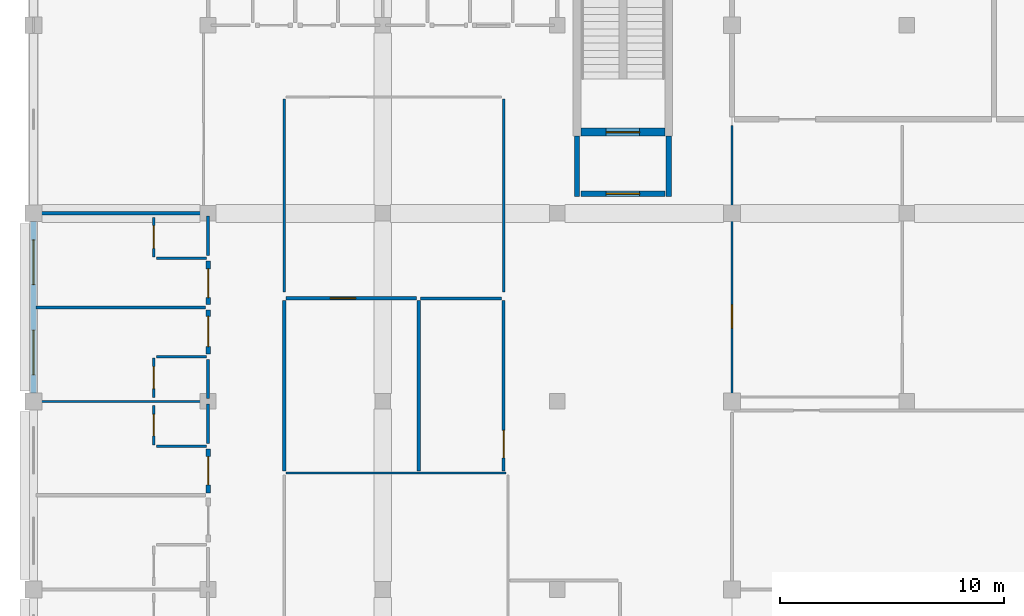
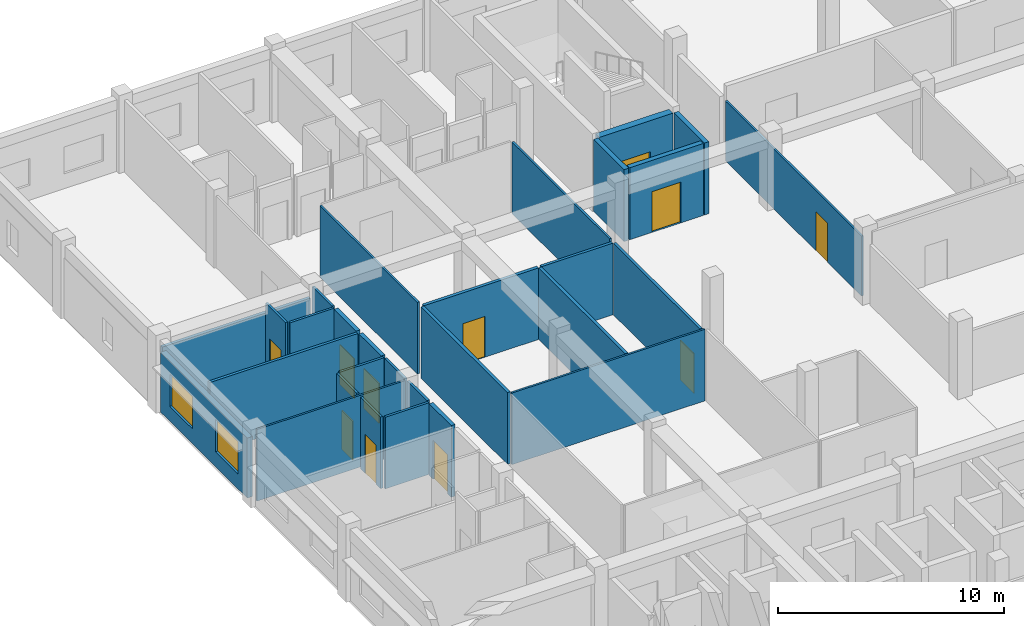
# One storey, part 37 of 53: 29 walls, 11 doors, 2 windows, 13 openings.
"""IFC4 building model written with IfcOpenShell, lengths in metres."""

from ifc_helpers import new_model, si_unit, direction, frame, frame_2d, origin, place, context, subcontext, project, spatial, rectangle, extrude, material, layer, layer_set, type_object, element, fill, save


model = new_model("IFC4")

# Units and contexts
model_context = context("Model", 3, precision=1e-05, world=origin(), true_north=direction((0.0, 1.0)))
body_context = subcontext(model_context, "Body", "Model", "MODEL_VIEW")
ifc_project = project(units=[si_unit("LENGTHUNIT", "METRE"), si_unit("AREAUNIT", "SQUARE_METRE"), si_unit("VOLUMEUNIT", "CUBIC_METRE"), si_unit("PLANEANGLEUNIT", "RADIAN"), si_unit("MASSUNIT", "GRAM", prefix="KILO"), si_unit("THERMODYNAMICTEMPERATUREUNIT", "KELVIN"), si_unit("POWERUNIT", "WATT")], contexts=[model_context])

# Site, building, storey
site_placement = place(None, origin())
site = spatial("IfcSite", under=ifc_project, at=site_placement, CompositionType="ELEMENT")
building_placement = place(site_placement, origin())
building = spatial("IfcBuilding", under=site, at=building_placement, Name="Srebrne Nadtorze General Hospital", CompositionType="ELEMENT")
storey_placement = place(building_placement, frame((0.0, 0.0, 18.0)))
storey = spatial("IfcBuildingStorey", under=building, at=storey_placement, Name="L04", CompositionType="ELEMENT", Elevation=18.0)

# Wall
ifc_material_1 = material(Name="Gypsum Healthcare Partition")
ifc_layer_1 = layer(ifc_material_1, 0.139892578125)
ifc_layer_set_1 = layer_set([ifc_layer_1], Name="Gypsum Healthcare Partition")
wall_type_1 = type_object("IfcWallType", Name="Clinical partition 140", PredefinedType="PARTITIONING", material=ifc_layer_set_1)
wall_1_placement = place(storey_placement, frame((23.52001953125, 71.39990234375, 0.0), z_axis=(0.0, 0.0, 1.0), x_axis=(1.0, 0.0, 0.0)))
element("IfcWall", 1, at=wall_1_placement, inside=storey, type_object=wall_type_1, Name="Ward inter-room partition WL-INT-L04-1715", PredefinedType="PARTITIONING", context=body_context, shape_type="SweptSolid", body=[
    extrude(rectangle(XDim=7.56005859375, YDim=0.139892578125, at=frame_2d((3.780029296875, 0.0))), origin(), (0.0, 0.0, 1.0), 3.864990234375),
])

# Wall, opening, door
wall_2_placement = place(storey_placement, frame((44.39990234375, 64.0849609375, 0.0), z_axis=(0.0, 0.0, 1.0), x_axis=(0.0, 1.0, 0.0)))
wall_2 = element("IfcWall", 2, at=wall_2_placement, inside=storey, type_object=wall_type_1, Name="Dirty Utility wall WL-INT-L04-1824", PredefinedType="PARTITIONING", context=body_context, shape_type="SweptSolid", body=[
    extrude(rectangle(XDim=7.630126953125, YDim=0.139892578125, at=frame_2d((3.81494140625, 0.0))), origin(), (0.0, 0.0, 1.0), 3.864990234375),
])
opening_1_placement = place(wall_2_placement, frame((0.59765625, 0.0, 0.0)))
opening_1 = element("IfcOpeningElement", 3, at=opening_1_placement, cuts=wall_2, Name="Opening D-L04-0344", PredefinedType="OPENING", context=body_context, shape_type="SweptSolid", body=[
    extrude(rectangle(XDim=1.219970703125, YDim=2.14990234375, at=frame_2d((0.60986328125, 1.074951171875))), frame((0.0, 0.08203125, 0.0), z_axis=(0.0, -1.0, 0.0), x_axis=(1.0, 0.0, 0.0)), (0.0, 0.0, 1.0), 0.163818359375),
])
ifc_material_2 = material(Name="Anodised Aluminium", Category="aluminium")
door_type_1 = type_object("IfcDoorType", Name="Single leaf door 1220x2150", OperationType="NOTDEFINED", PredefinedType="DOOR", material=ifc_material_2)
door_1_placement = place(opening_1_placement, origin())
door_1 = element("IfcDoor", 4, at=door_1_placement, inside=storey, type_object=door_type_1, Name="Dirty Utility door D-L04-0344", OperationType="SINGLE_SWING_RIGHT", OverallHeight=2.14990234375, OverallWidth=1.219970703125, PredefinedType="DOOR", context=body_context, shape_type="SweptSolid", body=[
    extrude(rectangle(XDim=1.219970703125, YDim=2.14990234375, at=frame_2d((0.60986328125, 1.074951171875))), frame((0.0, 0.02490234375, 0.0), z_axis=(0.0, -1.0, 0.0), x_axis=(1.0, 0.0, 0.0)), (0.0, 0.0, 1.0), 0.050048828125),
])
fill(opening_1, door_1)

# Walls
wall_3_placement = place(storey_placement, frame((40.68505859375, 71.800048828125, 0.0), z_axis=(0.0, 0.0, 1.0), x_axis=(1.0, 0.0, 0.0)))
element("IfcWall", 5, at=wall_3_placement, inside=storey, type_object=wall_type_1, Name="Dirty Utility wall WL-INT-L04-1825", PredefinedType="PARTITIONING", context=body_context, shape_type="SweptSolid", body=[
    extrude(rectangle(XDim=3.6298828125, YDim=0.139892578125, at=frame_2d((1.81494140625, 0.0))), origin(), (0.0, 0.0, 1.0), 3.864990234375),
])
ifc_material_3 = material(Name="Gypsum Healthcare Partition")
ifc_layer_2 = layer(ifc_material_3, 0.159912109375)
ifc_layer_set_2 = layer_set([ifc_layer_2], Name="Gypsum Healthcare Partition")
wall_type_2 = type_object("IfcWallType", Name="Clinical partition 160", PredefinedType="PARTITIONING", material=ifc_layer_set_2)
wall_4_placement = place(storey_placement, frame((23.52001953125, 75.60009765625, 0.0), z_axis=(0.0, 0.0, 1.0), x_axis=(1.0, 0.0, 0.0)))
element("IfcWall", 6, at=wall_4_placement, inside=storey, type_object=wall_type_2, Name="Ward inter-room partition WL-INT-L04-1720", PredefinedType="PARTITIONING", context=body_context, shape_type="SweptSolid", body=[
    extrude(rectangle(XDim=7.56005859375, YDim=0.159912109375, at=frame_2d((3.780029296875, 0.0))), origin(), (0.0, 0.0, 1.0), 3.235107421875),
])

# Wall, opening, door
wall_5_placement = place(storey_placement, frame((34.68505859375, 71.800048828125, 0.0), z_axis=(0.0, 0.0, 1.0), x_axis=(1.0, 0.0, 0.0)))
wall_5 = element("IfcWall", 7, at=wall_5_placement, inside=storey, type_object=wall_type_2, Name="Clean Medication Preparation Suite wall WL-INT-L04-1821", PredefinedType="PARTITIONING", context=body_context, shape_type="SweptSolid", body=[
    extrude(rectangle(XDim=5.829833984375, YDim=0.159912109375, at=frame_2d((2.9150390625, 0.0))), origin(), (0.0, 0.0, 1.0), 3.864990234375),
])
opening_2_placement = place(wall_5_placement, frame((1.979248046875, 0.0, 0.0)))
opening_2 = element("IfcOpeningElement", 8, at=opening_2_placement, cuts=wall_5, Name="Opening D-L04-0343", PredefinedType="OPENING", context=body_context, shape_type="SweptSolid", body=[
    extrude(rectangle(XDim=1.1201171875, YDim=2.199951171875, at=frame_2d((0.56005859375, 1.10009765625))), frame((0.0, 0.091796875, 0.0), z_axis=(0.0, -1.0, 0.0), x_axis=(1.0, 0.0, 0.0)), (0.0, 0.0, 1.0), 0.183837890625),
])
ifc_material_4 = material(Name="Anodised Aluminium", Category="aluminium")
door_type_2 = type_object("IfcDoorType", Name="Single leaf door 1120x2200", OperationType="NOTDEFINED", PredefinedType="DOOR", material=ifc_material_4)
door_2_placement = place(opening_2_placement, frame((1.1201171875, 0.0, 0.0), z_axis=(0.0, 0.0, 1.0), x_axis=(-1.0, 0.0, 0.0)))
door_2 = element("IfcDoor", 9, at=door_2_placement, inside=storey, type_object=door_type_2, Name="Clean Medication Preparation Suite door D-L04-0343", OperationType="SINGLE_SWING_RIGHT", OverallHeight=2.199951171875, OverallWidth=1.1201171875, PredefinedType="DOOR", context=body_context, shape_type="SweptSolid", body=[
    extrude(rectangle(XDim=1.1201171875, YDim=2.199951171875, at=frame_2d((0.56005859375, 1.10009765625))), frame((0.0, 0.02490234375, 0.0), z_axis=(0.0, -1.0, 0.0), x_axis=(1.0, 0.0, 0.0)), (0.0, 0.0, 1.0), 0.050048828125),
])
fill(opening_2, door_2)

# Walls
for number, where, z_axis, x_axis, name in (
    (10, (34.60009765625, 64.0849609375, 0.0), (0.0, 0.0, 1.0), (0.0, 1.0, 0.0), "Clean Medication Preparation Suite wall WL-INT-L04-1822"),
    (11, (40.60009765625, 64.0849609375, 0.0), (0.0, 0.0, 1.0), (0.0, 1.0, 0.0), "Clean Medication Preparation Suite wall WL-INT-L04-1823"),
):
    element("IfcWall", number, at=place(storey_placement, frame(where, z_axis=z_axis, x_axis=x_axis)), inside=storey, type_object=wall_type_2, Name=name, PredefinedType="PARTITIONING", context=body_context, shape_type="SweptSolid", body=[
        extrude(rectangle(XDim=7.630126953125, YDim=0.159912109375, at=frame_2d((3.81494140625, 0.0))), origin(), (0.0, 0.0, 1.0), 3.864990234375),
    ])

# Wall, opening, door
ifc_material_5 = material(Name="Gypsum Healthcare Partition")
ifc_layer_3 = layer(ifc_material_5, 0.199951171875)
ifc_layer_set_3 = layer_set([ifc_layer_3], Name="Gypsum Healthcare Partition")
wall_type_3 = type_object("IfcWallType", Name="Compartment wall 200", PredefinedType="STANDARD", material=ifc_layer_set_3)
wall_6_placement = place(storey_placement, frame((31.199951171875, 63.1201171875, 0.0), z_axis=(0.0, 0.0, 1.0), x_axis=(0.0, 1.0, 0.0)))
wall_6 = element("IfcWall", 12, at=wall_6_placement, inside=storey, type_object=wall_type_3, Name="Ward corridor wall WL-INT-L04-1711", PredefinedType="STANDARD", context=body_context, shape_type="SweptSolid", body=[
    extrude(rectangle(XDim=1.9599609375, YDim=0.199951171875, at=frame_2d((0.97998046875, 0.0))), origin(), (0.0, 0.0, 1.0), 3.864990234375),
])
opening_3_placement = place(wall_6_placement, frame((0.35009765625, 0.0, 0.0)))
opening_3 = element("IfcOpeningElement", 13, at=opening_3_placement, cuts=wall_6, Name="Opening D-L04-0300", PredefinedType="OPENING", context=body_context, shape_type="SweptSolid", body=[
    extrude(rectangle(XDim=1.260009765625, YDim=2.10009765625, at=frame_2d((0.6298828125, 1.050048828125))), frame((0.0, 0.11181640625, 0.0), z_axis=(0.0, -1.0, 0.0), x_axis=(1.0, 0.0, 0.0)), (0.0, 0.0, 1.0), 0.223876953125),
])
ifc_material_6 = material(Name="Anodised Aluminium", Category="aluminium")
door_type_3 = type_object("IfcDoorType", Name="Single leaf door 1260x2100", OperationType="NOTDEFINED", PredefinedType="DOOR", material=ifc_material_6)
door_3_placement = place(opening_3_placement, origin())
door_3 = element("IfcDoor", 14, at=door_3_placement, inside=storey, type_object=door_type_3, Name="Ward patient room door D-L04-0300", OperationType="SINGLE_SWING_RIGHT", OverallHeight=2.10009765625, OverallWidth=1.260009765625, PredefinedType="DOOR", context=body_context, shape_type="SweptSolid", body=[
    extrude(rectangle(XDim=1.260009765625, YDim=2.10009765625, at=frame_2d((0.6298828125, 1.050048828125))), frame((0.0, 0.02490234375, 0.0), z_axis=(0.0, -1.0, 0.0), x_axis=(1.0, 0.0, 0.0)), (0.0, 0.0, 1.0), 0.050048828125),
])
fill(opening_3, door_3)

wall_7_placement = place(storey_placement, frame((31.199951171875, 69.320068359375, 0.0), z_axis=(0.0, 0.0, 1.0), x_axis=(0.0, 1.0, 0.0)))
wall_7 = element("IfcWall", 15, at=wall_7_placement, inside=storey, type_object=wall_type_3, Name="Ward corridor wall WL-INT-L04-1716", PredefinedType="STANDARD", context=body_context, shape_type="SweptSolid", body=[
    extrude(rectangle(XDim=1.9599609375, YDim=0.199951171875, at=frame_2d((0.97998046875, 0.0))), origin(), (0.0, 0.0, 1.0), 3.864990234375),
])
opening_4_placement = place(wall_7_placement, frame((0.330078125, 0.0, 0.0)))
opening_4 = element("IfcOpeningElement", 16, at=opening_4_placement, cuts=wall_7, Name="Opening D-L04-0302", PredefinedType="OPENING", context=body_context, shape_type="SweptSolid", body=[
    extrude(rectangle(XDim=1.35009765625, YDim=2.14990234375, at=frame_2d((0.675048828125, 1.074951171875))), frame((0.0, 0.11181640625, 0.0), z_axis=(0.0, -1.0, 0.0), x_axis=(1.0, 0.0, 0.0)), (0.0, 0.0, 1.0), 0.223876953125),
])
ifc_material_7 = material(Name="Anodised Aluminium", Category="aluminium")
door_type_4 = type_object("IfcDoorType", Name="Single leaf door 1350x2150", OperationType="NOTDEFINED", PredefinedType="DOOR", material=ifc_material_7)
door_4_placement = place(opening_4_placement, origin())
door_4 = element("IfcDoor", 17, at=door_4_placement, inside=storey, type_object=door_type_4, Name="Ward patient room door D-L04-0302", OperationType="SINGLE_SWING_LEFT", OverallHeight=2.14990234375, OverallWidth=1.35009765625, PredefinedType="DOOR", context=body_context, shape_type="SweptSolid", body=[
    extrude(rectangle(XDim=1.35009765625, YDim=2.14990234375, at=frame_2d((0.675048828125, 1.074951171875))), frame((0.0, 0.02490234375, 0.0), z_axis=(0.0, -1.0, 0.0), x_axis=(1.0, 0.0, 0.0)), (0.0, 0.0, 1.0), 0.050048828125),
])
fill(opening_4, door_4)

wall_8_placement = place(storey_placement, frame((31.199951171875, 71.52001953125, 0.0), z_axis=(0.0, 0.0, 1.0), x_axis=(0.0, 1.0, 0.0)))
wall_8 = element("IfcWall", 18, at=wall_8_placement, inside=storey, type_object=wall_type_3, Name="Ward corridor wall WL-INT-L04-1721", PredefinedType="STANDARD", context=body_context, shape_type="SweptSolid", body=[
    extrude(rectangle(XDim=1.9599609375, YDim=0.199951171875, at=frame_2d((0.97998046875, 0.0))), origin(), (0.0, 0.0, 1.0), 3.864990234375),
])
opening_5_placement = place(wall_8_placement, frame((0.320068359375, 0.0, 0.0)))
opening_5 = element("IfcOpeningElement", 19, at=opening_5_placement, cuts=wall_8, Name="Opening D-L04-0304", PredefinedType="OPENING", context=body_context, shape_type="SweptSolid", body=[
    extrude(rectangle(XDim=1.280029296875, YDim=2.14990234375, at=frame_2d((0.64013671875, 1.074951171875))), frame((0.0, 0.11181640625, 0.0), z_axis=(0.0, -1.0, 0.0), x_axis=(1.0, 0.0, 0.0)), (0.0, 0.0, 1.0), 0.223876953125),
])
ifc_material_8 = material(Name="Anodised Aluminium", Category="aluminium")
door_type_5 = type_object("IfcDoorType", Name="Single leaf door 1280x2150", OperationType="NOTDEFINED", PredefinedType="DOOR", material=ifc_material_8)
door_5_placement = place(opening_5_placement, origin())
door_5 = element("IfcDoor", 20, at=door_5_placement, inside=storey, type_object=door_type_5, Name="Ward patient room door D-L04-0304", OperationType="SINGLE_SWING_LEFT", OverallHeight=2.14990234375, OverallWidth=1.280029296875, PredefinedType="DOOR", context=body_context, shape_type="SweptSolid", body=[
    extrude(rectangle(XDim=1.280029296875, YDim=2.14990234375, at=frame_2d((0.64013671875, 1.074951171875))), frame((0.0, 0.02490234375, 0.0), z_axis=(0.0, -1.0, 0.0), x_axis=(1.0, 0.0, 0.0)), (0.0, 0.0, 1.0), 0.050048828125),
])
fill(opening_5, door_5)

# Walls
ifc_material_9 = material(Name="Gypsum Healthcare Partition")
ifc_layer_4 = layer(ifc_material_9, 0.239990234375)
ifc_layer_set_4 = layer_set([ifc_layer_4], Name="Gypsum Healthcare Partition")
wall_type_4 = type_object("IfcWallType", Name="Corridor fire wall 240", PredefinedType="STANDARD", material=ifc_layer_set_4)
for number, where, z_axis, x_axis, name in (
    (21, (47.675048828125, 76.35498046875, 0.0), (0.0, 0.0, 1.0), (0.0, 1.0, 0.0), "Fire lobby wall ST-02 WL-INT-L04-0301"),
    (22, (51.77490234375, 76.35498046875, 0.0), (0.0, 0.0, 1.0), (0.0, 1.0, 0.0), "Fire lobby wall ST-02 WL-INT-L04-0302"),
):
    element("IfcWall", number, at=place(storey_placement, frame(where, z_axis=z_axis, x_axis=x_axis)), inside=storey, type_object=wall_type_4, Name=name, PredefinedType="STANDARD", context=body_context, shape_type="SweptSolid", body=[
        extrude(rectangle(XDim=2.695068359375, YDim=0.239990234375, at=frame_2d((1.34765625, 0.0))), origin(), (0.0, 0.0, 1.0), 3.885009765625),
    ])

# Wall, opening, door
wall_9_placement = place(storey_placement, frame((47.85009765625, 76.47509765625, 0.0), z_axis=(0.0, 0.0, 1.0), x_axis=(1.0, 0.0, 0.0)))
wall_9 = element("IfcWall", 23, at=wall_9_placement, inside=storey, type_object=wall_type_4, Name="Fire lobby entry wall ST-02 WL-INT-L04-0303", PredefinedType="STANDARD", context=body_context, shape_type="SweptSolid", body=[
    extrude(rectangle(XDim=3.75, YDim=0.239990234375, at=frame_2d((1.875, 0.0))), origin(), (0.0, 0.0, 1.0), 3.885009765625),
])
opening_6_placement = place(wall_9_placement, frame((1.125, 0.0, 0.0)))
opening_6 = element("IfcOpeningElement", 24, at=opening_6_placement, cuts=wall_9, Name="Opening D-L04-0076", PredefinedType="OPENING", context=body_context, shape_type="SweptSolid", body=[
    extrude(rectangle(XDim=1.5, YDim=2.199951171875, at=frame_2d((0.75, 1.10009765625))), frame((0.0, 0.1318359375, 0.0), z_axis=(0.0, -1.0, 0.0), x_axis=(1.0, 0.0, 0.0)), (0.0, 0.0, 1.0), 0.263916015625),
])
ifc_material_10 = material(Name="Anodised Aluminium", Category="aluminium")
door_type_6 = type_object("IfcDoorType", Name="Double leaf door 1500x2200", OperationType="DOUBLE_DOOR_SINGLE_SWING", PredefinedType="DOOR", material=ifc_material_10)
door_6_placement = place(opening_6_placement, origin())
door_6 = element("IfcDoor", 25, at=door_6_placement, inside=storey, type_object=door_type_6, Name="Fire lobby door ST-02 D-L04-0076", OperationType="DOUBLE_DOOR_SINGLE_SWING", OverallHeight=2.199951171875, OverallWidth=1.5, PredefinedType="DOOR", context=body_context, shape_type="SweptSolid", body=[
    extrude(rectangle(XDim=1.5, YDim=2.199951171875, at=frame_2d((0.75, 1.10009765625))), frame((0.0, 0.02490234375, 0.0), z_axis=(0.0, -1.0, 0.0), x_axis=(1.0, 0.0, 0.0)), (0.0, 0.0, 1.0), 0.050048828125),
])
fill(opening_6, door_6)

# Walls
ifc_material_11 = material(Name="Gypsum Healthcare Partition")
ifc_layer_5 = layer(ifc_material_11, 0.1201171875)
ifc_layer_set_5 = layer_set([ifc_layer_5], Name="Gypsum Healthcare Partition")
wall_type_5 = type_object("IfcWallType", Name="En-suite partition 120", PredefinedType="PARTITIONING", material=ifc_layer_set_5)
wall_10_placement = place(storey_placement, frame((31.199951171875, 65.320068359375, 0.0), z_axis=(0.0, 0.0, 1.0), x_axis=(0.0, 1.0, 0.0)))
element("IfcWall", 26, at=wall_10_placement, inside=storey, type_object=wall_type_5, Name="En-suite corridor wall WL-INT-L04-1712", PredefinedType="PARTITIONING", context=body_context, shape_type="SweptSolid", body=[
    extrude(rectangle(XDim=1.760009765625, YDim=0.1201171875, at=frame_2d((0.8798828125, 0.0))), origin(), (0.0, 0.0, 1.0), 3.864990234375),
])
wall_11_placement = place(storey_placement, frame((28.89990234375, 65.199951171875, 0.0), z_axis=(0.0, 0.0, 1.0), x_axis=(1.0, 0.0, 0.0)))
element("IfcWall", 27, at=wall_11_placement, inside=storey, type_object=wall_type_5, Name="En-suite wet wall WL-INT-L04-1713", PredefinedType="PARTITIONING", context=body_context, shape_type="SweptSolid", body=[
    extrude(rectangle(XDim=2.239990234375, YDim=0.1201171875, at=frame_2d((1.1201171875, 0.0))), origin(), (0.0, 0.0, 1.0), 3.864990234375),
])

# Wall, opening, door
wall_12_placement = place(storey_placement, frame((28.780029296875, 65.260009765625, 0.0), z_axis=(0.0, 0.0, 1.0), x_axis=(0.0, 1.0, 0.0)))
wall_12 = element("IfcWall", 28, at=wall_12_placement, inside=storey, type_object=wall_type_5, Name="En-suite wet wall WL-INT-L04-1714", PredefinedType="PARTITIONING", context=body_context, shape_type="SweptSolid", body=[
    extrude(rectangle(XDim=1.760009765625, YDim=0.1201171875, at=frame_2d((0.8798828125, 0.0))), origin(), (0.0, 0.0, 1.0), 3.864990234375),
])
opening_7_placement = place(wall_12_placement, frame((0.39990234375, 0.0, 0.0)))
opening_7 = element("IfcOpeningElement", 29, at=opening_7_placement, cuts=wall_12, Name="Opening D-L04-0301", PredefinedType="OPENING", context=body_context, shape_type="SweptSolid", body=[
    extrude(rectangle(XDim=0.9599609375, YDim=2.1201171875, at=frame_2d((0.47998046875, 1.06005859375))), frame((0.0, 0.072021484375, 0.0), z_axis=(0.0, -1.0, 0.0), x_axis=(1.0, 0.0, 0.0)), (0.0, 0.0, 1.0), 0.14404296875),
])
ifc_material_12 = material(Name="Anodised Aluminium", Category="aluminium")
door_type_7 = type_object("IfcDoorType", Name="Single leaf door 960x2120", OperationType="NOTDEFINED", PredefinedType="DOOR", material=ifc_material_12)
door_7_placement = place(opening_7_placement, frame((0.9599609375, 0.0, 0.0), z_axis=(0.0, 0.0, 1.0), x_axis=(-1.0, 0.0, 0.0)))
door_7 = element("IfcDoor", 30, at=door_7_placement, inside=storey, type_object=door_type_7, Name="En-suite bathroom door D-L04-0301", OperationType="SINGLE_SWING_RIGHT", OverallHeight=2.1201171875, OverallWidth=0.9599609375, PredefinedType="DOOR", context=body_context, shape_type="SweptSolid", body=[
    extrude(rectangle(XDim=0.9599609375, YDim=2.1201171875, at=frame_2d((0.47998046875, 1.06005859375))), frame((0.0, 0.02490234375, 0.0), z_axis=(0.0, -1.0, 0.0), x_axis=(1.0, 0.0, 0.0)), (0.0, 0.0, 1.0), 0.050048828125),
])
fill(opening_7, door_7)

# Walls
wall_13_placement = place(storey_placement, frame((31.199951171875, 67.320068359375, 0.0), z_axis=(0.0, 0.0, 1.0), x_axis=(0.0, 1.0, 0.0)))
element("IfcWall", 31, at=wall_13_placement, inside=storey, type_object=wall_type_5, Name="En-suite corridor wall WL-INT-L04-1717", PredefinedType="PARTITIONING", context=body_context, shape_type="SweptSolid", body=[
    extrude(rectangle(XDim=1.760009765625, YDim=0.1201171875, at=frame_2d((0.8798828125, 0.0))), origin(), (0.0, 0.0, 1.0), 3.864990234375),
])
wall_14_placement = place(storey_placement, frame((28.89990234375, 69.199951171875, 0.0), z_axis=(0.0, 0.0, 1.0), x_axis=(1.0, 0.0, 0.0)))
element("IfcWall", 32, at=wall_14_placement, inside=storey, type_object=wall_type_5, Name="En-suite wet wall WL-INT-L04-1718", PredefinedType="PARTITIONING", context=body_context, shape_type="SweptSolid", body=[
    extrude(rectangle(XDim=2.239990234375, YDim=0.1201171875, at=frame_2d((1.1201171875, 0.0))), origin(), (0.0, 0.0, 1.0), 3.864990234375),
])

# Wall, opening, door
wall_15_placement = place(storey_placement, frame((28.780029296875, 67.3798828125, 0.0), z_axis=(0.0, 0.0, 1.0), x_axis=(0.0, 1.0, 0.0)))
wall_15 = element("IfcWall", 33, at=wall_15_placement, inside=storey, type_object=wall_type_5, Name="En-suite wet wall WL-INT-L04-1719", PredefinedType="PARTITIONING", context=body_context, shape_type="SweptSolid", body=[
    extrude(rectangle(XDim=1.760009765625, YDim=0.1201171875, at=frame_2d((0.8798828125, 0.0))), origin(), (0.0, 0.0, 1.0), 3.864990234375),
])
opening_8_placement = place(wall_15_placement, frame((0.389892578125, 0.0, 0.0)))
opening_8 = element("IfcOpeningElement", 34, at=opening_8_placement, cuts=wall_15, Name="Opening D-L04-0303", PredefinedType="OPENING", context=body_context, shape_type="SweptSolid", body=[
    extrude(rectangle(XDim=0.97998046875, YDim=2.10009765625, at=frame_2d((0.489990234375, 1.050048828125))), frame((0.0, 0.072021484375, 0.0), z_axis=(0.0, -1.0, 0.0), x_axis=(1.0, 0.0, 0.0)), (0.0, 0.0, 1.0), 0.14404296875),
])
ifc_material_13 = material(Name="Anodised Aluminium", Category="aluminium")
door_type_8 = type_object("IfcDoorType", Name="Single leaf door 980x2100", OperationType="NOTDEFINED", PredefinedType="DOOR", material=ifc_material_13)
door_8_placement = place(opening_8_placement, frame((0.97998046875, 0.0, 0.0), z_axis=(0.0, 0.0, 1.0), x_axis=(-1.0, 0.0, 0.0)))
door_8 = element("IfcDoor", 35, at=door_8_placement, inside=storey, type_object=door_type_8, Name="En-suite bathroom door D-L04-0303", OperationType="SINGLE_SWING_RIGHT", OverallHeight=2.10009765625, OverallWidth=0.97998046875, PredefinedType="DOOR", context=body_context, shape_type="SweptSolid", body=[
    extrude(rectangle(XDim=0.97998046875, YDim=2.10009765625, at=frame_2d((0.489990234375, 1.050048828125))), frame((0.0, 0.02490234375, 0.0), z_axis=(0.0, -1.0, 0.0), x_axis=(1.0, 0.0, 0.0)), (0.0, 0.0, 1.0), 0.050048828125),
])
fill(opening_8, door_8)

# Walls
wall_16_placement = place(storey_placement, frame((31.199951171875, 73.719970703125, 0.0), z_axis=(0.0, 0.0, 1.0), x_axis=(0.0, 1.0, 0.0)))
element("IfcWall", 36, at=wall_16_placement, inside=storey, type_object=wall_type_5, Name="En-suite corridor wall WL-INT-L04-1722", PredefinedType="PARTITIONING", context=body_context, shape_type="SweptSolid", body=[
    extrude(rectangle(XDim=1.760009765625, YDim=0.1201171875, at=frame_2d((0.8798828125, 0.0))), origin(), (0.0, 0.0, 1.0), 3.864990234375),
])
wall_17_placement = place(storey_placement, frame((28.89990234375, 73.60009765625, 0.0), z_axis=(0.0, 0.0, 1.0), x_axis=(1.0, 0.0, 0.0)))
element("IfcWall", 37, at=wall_17_placement, inside=storey, type_object=wall_type_5, Name="En-suite wet wall WL-INT-L04-1723", PredefinedType="PARTITIONING", context=body_context, shape_type="SweptSolid", body=[
    extrude(rectangle(XDim=2.239990234375, YDim=0.1201171875, at=frame_2d((1.1201171875, 0.0))), origin(), (0.0, 0.0, 1.0), 3.864990234375),
])

# Wall, opening, door
wall_18_placement = place(storey_placement, frame((28.780029296875, 73.659912109375, 0.0), z_axis=(0.0, 0.0, 1.0), x_axis=(0.0, 1.0, 0.0)))
wall_18 = element("IfcWall", 38, at=wall_18_placement, inside=storey, type_object=wall_type_5, Name="En-suite wet wall WL-INT-L04-1724", PredefinedType="PARTITIONING", context=body_context, shape_type="SweptSolid", body=[
    extrude(rectangle(XDim=1.760009765625, YDim=0.1201171875, at=frame_2d((0.8798828125, 0.0))), origin(), (0.0, 0.0, 1.0), 3.864990234375),
])
opening_9_placement = place(wall_18_placement, frame((0.3701171875, 0.0, 0.0)))
opening_9 = element("IfcOpeningElement", 39, at=opening_9_placement, cuts=wall_18, Name="Opening D-L04-0305", PredefinedType="OPENING", context=body_context, shape_type="SweptSolid", body=[
    extrude(rectangle(XDim=1.02001953125, YDim=2.14990234375, at=frame_2d((0.510009765625, 1.074951171875))), frame((0.0, 0.072021484375, 0.0), z_axis=(0.0, -1.0, 0.0), x_axis=(1.0, 0.0, 0.0)), (0.0, 0.0, 1.0), 0.14404296875),
])
ifc_material_14 = material(Name="Anodised Aluminium", Category="aluminium")
door_type_9 = type_object("IfcDoorType", Name="Single leaf door 1020x2150", OperationType="NOTDEFINED", PredefinedType="DOOR", material=ifc_material_14)
door_9_placement = place(opening_9_placement, frame((1.02001953125, 0.0, 0.0), z_axis=(0.0, 0.0, 1.0), x_axis=(-1.0, 0.0, 0.0)))
door_9 = element("IfcDoor", 40, at=door_9_placement, inside=storey, type_object=door_type_9, Name="En-suite bathroom door D-L04-0305", OperationType="SINGLE_SWING_RIGHT", OverallHeight=2.14990234375, OverallWidth=1.02001953125, PredefinedType="DOOR", context=body_context, shape_type="SweptSolid", body=[
    extrude(rectangle(XDim=1.02001953125, YDim=2.14990234375, at=frame_2d((0.510009765625, 1.074951171875))), frame((0.0, 0.02490234375, 0.0), z_axis=(0.0, -1.0, 0.0), x_axis=(1.0, 0.0, 0.0)), (0.0, 0.0, 1.0), 0.050048828125),
])
fill(opening_9, door_9)

# Walls
ifc_material_15 = material(Name="Gypsum Healthcare Partition")
ifc_layer_6 = layer(ifc_material_15, 0.10009765625)
ifc_layer_set_6 = layer_set([ifc_layer_6], Name="Gypsum Healthcare Partition")
wall_type_6 = type_object("IfcWallType", Name="Shaft lining wall 100", PredefinedType="PARTITIONING", material=ifc_layer_set_6)
wall_19_placement = place(storey_placement, frame((23.52001953125, 67.199951171875, 0.0), z_axis=(0.0, 0.0, 1.0), x_axis=(1.0, 0.0, 0.0)))
element("IfcWall", 41, at=wall_19_placement, inside=storey, type_object=wall_type_6, Name="Ward inter-room partition WL-INT-L04-1710", PredefinedType="PARTITIONING", context=body_context, shape_type="SweptSolid", body=[
    extrude(rectangle(XDim=7.56005859375, YDim=0.10009765625, at=frame_2d((3.780029296875, 0.0))), origin(), (0.0, 0.0, 1.0), 3.864990234375),
])
wall_20_placement = place(storey_placement, frame((34.68505859375, 64.0, 0.0), z_axis=(0.0, 0.0, 1.0), x_axis=(1.0, 0.0, 0.0)))
element("IfcWall", 42, at=wall_20_placement, inside=storey, type_object=wall_type_6, Name="Nursing Station wall WL-INT-L04-1818", PredefinedType="PARTITIONING", context=body_context, shape_type="SweptSolid", body=[
    extrude(rectangle(XDim=9.829833984375, YDim=0.10009765625, at=frame_2d((4.9150390625, 0.0))), origin(), (0.0, 0.0, 1.0), 3.864990234375),
])
for number, where, z_axis, x_axis, name in (
    (43, (34.60009765625, 72.0849609375, 0.0), (0.0, 0.0, 1.0), (0.0, 1.0, 0.0), "Post-Surgical Step-Down Suite wall WL-INT-L04-1827"),
    (44, (44.39990234375, 72.0849609375, 0.0), (0.0, 0.0, 1.0), (0.0, 1.0, 0.0), "Post-Surgical Step-Down Suite wall WL-INT-L04-1828"),
):
    element("IfcWall", number, at=place(storey_placement, frame(where, z_axis=z_axis, x_axis=x_axis)), inside=storey, type_object=wall_type_6, Name=name, PredefinedType="PARTITIONING", context=body_context, shape_type="SweptSolid", body=[
        extrude(rectangle(XDim=8.630126953125, YDim=0.10009765625, at=frame_2d((4.31494140625, 0.0))), origin(), (0.0, 0.0, 1.0), 3.864990234375),
    ])

# Wall, opening, door
wall_21_placement = place(storey_placement, frame((54.60009765625, 67.485107421875, 0.0), z_axis=(0.0, 0.0, 1.0), x_axis=(0.0, 1.0, 0.0)))
wall_21 = element("IfcWall", 45, at=wall_21_placement, inside=storey, type_object=wall_type_6, Name="Anaesthesia Induction and Prep Suite wall WL-INT-L04-1899", PredefinedType="PARTITIONING", context=body_context, shape_type="SweptSolid", body=[
    extrude(rectangle(XDim=12.02978515625, YDim=0.10009765625, at=frame_2d((6.014892578125, 0.0))), origin(), (0.0, 0.0, 1.0), 3.235107421875),
])
opening_10_placement = place(wall_21_placement, frame((2.989990234375, 0.0, 0.0)))
opening_10 = element("IfcOpeningElement", 46, at=opening_10_placement, cuts=wall_21, Name="Opening D-L04-0603", PredefinedType="OPENING", context=body_context, shape_type="SweptSolid", body=[
    extrude(rectangle(XDim=1.050048828125, YDim=2.10009765625, at=frame_2d((0.52490234375, 1.050048828125))), frame((0.0, 0.06201171875, 0.0), z_axis=(0.0, -1.0, 0.0), x_axis=(1.0, 0.0, 0.0)), (0.0, 0.0, 1.0), 0.1240234375),
])
ifc_material_16 = material(Name="Anodised Aluminium", Category="aluminium")
door_type_10 = type_object("IfcDoorType", Name="Single leaf door 1050x2100", OperationType="NOTDEFINED", PredefinedType="DOOR", material=ifc_material_16)
door_10_placement = place(opening_10_placement, frame((1.050048828125, 0.0, 0.0), z_axis=(0.0, 0.0, 1.0), x_axis=(-1.0, 0.0, 0.0)))
door_10 = element("IfcDoor", 47, at=door_10_placement, inside=storey, type_object=door_type_10, Name="Anaesthesia Induction and Prep Suite link door D-L04-0603", OperationType="SINGLE_SWING_RIGHT", OverallHeight=2.10009765625, OverallWidth=1.050048828125, PredefinedType="DOOR", context=body_context, shape_type="SweptSolid", body=[
    extrude(rectangle(XDim=1.050048828125, YDim=2.10009765625, at=frame_2d((0.52490234375, 1.050048828125))), frame((0.0, 0.02490234375, 0.0), z_axis=(0.0, -1.0, 0.0), x_axis=(1.0, 0.0, 0.0)), (0.0, 0.0, 1.0), 0.050048828125),
])
fill(opening_10, door_10)

ifc_material_17 = material(Name="Concrete C40/50", Category="concrete")
ifc_layer_7 = layer(ifc_material_17, 0.35009765625)
ifc_layer_set_7 = layer_set([ifc_layer_7], Name="Concrete C40/50")
wall_type_7 = type_object("IfcWallType", Name="Shear core wall 350", PredefinedType="SHEAR", material=ifc_layer_set_7)
wall_22_placement = place(storey_placement, frame((47.85009765625, 79.22509765625, 0.0), z_axis=(0.0, 0.0, 1.0), x_axis=(1.0, 0.0, 0.0)))
wall_22 = element("IfcWall", 48, at=wall_22_placement, inside=storey, type_object=wall_type_7, Name="Stairwell fire wall ST-02 WL-INT-L04-0300", PredefinedType="SHEAR", context=body_context, shape_type="SweptSolid", body=[
    extrude(rectangle(XDim=3.75, YDim=0.35009765625, at=frame_2d((1.875, 0.0))), origin(), (0.0, 0.0, 1.0), 3.885009765625),
])
opening_11_placement = place(wall_22_placement, frame((1.125, 0.0, 0.0)))
opening_11 = element("IfcOpeningElement", 49, at=opening_11_placement, cuts=wall_22, Name="Opening D-L04-0075", PredefinedType="OPENING", context=body_context, shape_type="SweptSolid", body=[
    extrude(rectangle(XDim=1.5, YDim=2.199951171875, at=frame_2d((0.75, 1.10009765625))), frame((0.0, 0.18701171875, 0.0), z_axis=(0.0, -1.0, 0.0), x_axis=(1.0, 0.0, 0.0)), (0.0, 0.0, 1.0), 0.3740234375),
])
door_11_placement = place(opening_11_placement, origin())
door_11 = element("IfcDoor", 50, at=door_11_placement, inside=storey, type_object=door_type_6, Name="Protected stair door ST-02 D-L04-0075", OperationType="DOUBLE_DOOR_SINGLE_SWING", OverallHeight=2.199951171875, OverallWidth=1.5, PredefinedType="DOOR", context=body_context, shape_type="SweptSolid", body=[
    extrude(rectangle(XDim=1.5, YDim=2.199951171875, at=frame_2d((0.75, 1.10009765625))), frame((0.0, 0.02490234375, 0.0), z_axis=(0.0, -1.0, 0.0), x_axis=(1.0, 0.0, 0.0)), (0.0, 0.0, 1.0), 0.050048828125),
])
fill(opening_11, door_11)

# Wall, openings, windows
ifc_material_18 = material(Name="Concrete C35/45 precast", Category="concrete")
ifc_layer_8 = layer(ifc_material_18, 0.280029296875)
ifc_layer_set_8 = layer_set([ifc_layer_8], Name="Concrete C35/45 precast")
wall_type_8 = type_object("IfcWallType", Name="Spandrel wall 280", PredefinedType="STANDARD", material=ifc_layer_set_8)
wall_23_placement = place(storey_placement, frame((23.39990234375, 67.574951171875, 0.0), z_axis=(0.0, 0.0, 1.0), x_axis=(0.0, 1.0, 0.0)))
wall_23 = element("IfcWall", 51, at=wall_23_placement, inside=storey, type_object=wall_type_8, Name="Exterior wall WL-ENV-L04-0383", PredefinedType="STANDARD", context=body_context, shape_type="SweptSolid", body=[
    extrude(rectangle(XDim=7.650146484375, YDim=0.280029296875, at=frame_2d((3.8251953125, 0.0))), origin(), (0.0, 0.0, 1.0), 3.235107421875),
])
opening_12_placement = place(wall_23_placement, frame((0.80908203125, 0.0, 0.800048828125)))
opening_12 = element("IfcOpeningElement", 52, at=opening_12_placement, cuts=wall_23, Name="Opening WN-L04-0587", PredefinedType="OPENING", context=body_context, shape_type="SweptSolid", body=[
    extrude(rectangle(XDim=2.0, YDim=1.75, at=frame_2d((1.0, 0.875))), frame((0.0, 0.15185546875, 0.0), z_axis=(0.0, -1.0, 0.0), x_axis=(1.0, 0.0, 0.0)), (0.0, 0.0, 1.0), 0.303955078125),
])
opening_13_placement = place(wall_23_placement, frame((4.841064453125, 0.0, 0.800048828125)))
opening_13 = element("IfcOpeningElement", 53, at=opening_13_placement, cuts=wall_23, Name="Opening WN-L04-0588", PredefinedType="OPENING", context=body_context, shape_type="SweptSolid", body=[
    extrude(rectangle(XDim=2.0, YDim=1.75, at=frame_2d((1.0, 0.875))), frame((0.0, 0.15185546875, 0.0), z_axis=(0.0, -1.0, 0.0), x_axis=(1.0, 0.0, 0.0)), (0.0, 0.0, 1.0), 0.303955078125),
])
ifc_material_19 = material(Name="Triple Low-E Glazing", Category="glass")
window_type = type_object("IfcWindowType", Name="Punched clinical window 2000x1750", PartitioningType="DOUBLE_PANEL_VERTICAL", PredefinedType="WINDOW", material=ifc_material_19)
window_1_placement = place(opening_12_placement, origin())
window_1 = element("IfcWindow", 54, at=window_1_placement, inside=storey, type_object=window_type, Name="Clinical window WN-L04-0587", OverallHeight=1.75, OverallWidth=2.0, PartitioningType="DOUBLE_PANEL_VERTICAL", PredefinedType="WINDOW", context=body_context, shape_type="SweptSolid", body=[
    extrude(rectangle(XDim=2.0, YDim=1.75, at=frame_2d((1.0, 0.875))), frame((0.0, 0.030029296875, 0.0), z_axis=(0.0, -1.0, 0.0), x_axis=(1.0, 0.0, 0.0)), (0.0, 0.0, 1.0), 0.06005859375),
])
fill(opening_12, window_1)
window_2_placement = place(opening_13_placement, origin())
window_2 = element("IfcWindow", 55, at=window_2_placement, inside=storey, type_object=window_type, Name="Clinical window WN-L04-0588", OverallHeight=1.75, OverallWidth=2.0, PartitioningType="DOUBLE_PANEL_VERTICAL", PredefinedType="WINDOW", context=body_context, shape_type="SweptSolid", body=[
    extrude(rectangle(XDim=2.0, YDim=1.75, at=frame_2d((1.0, 0.875))), frame((0.0, 0.030029296875, 0.0), z_axis=(0.0, -1.0, 0.0), x_axis=(1.0, 0.0, 0.0)), (0.0, 0.0, 1.0), 0.06005859375),
])
fill(opening_13, window_2)

save(model, "model.ifc")
